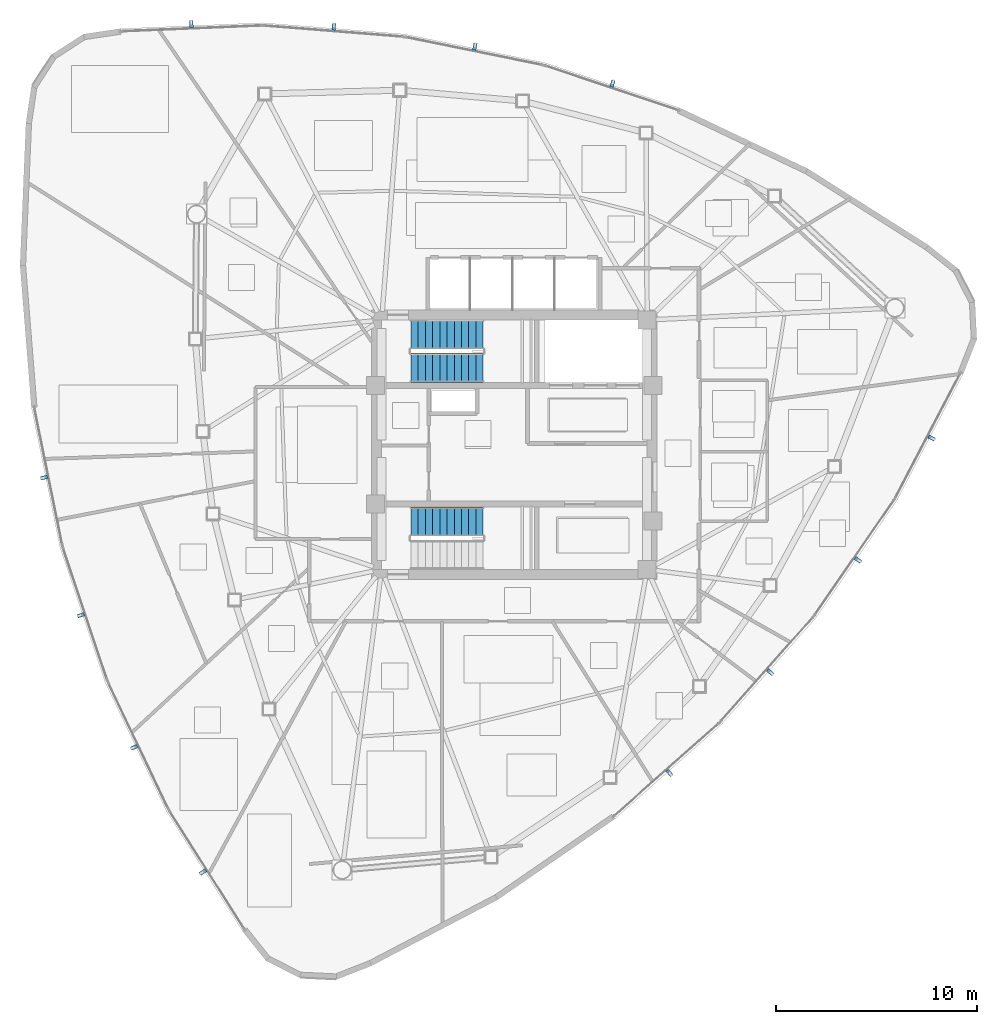
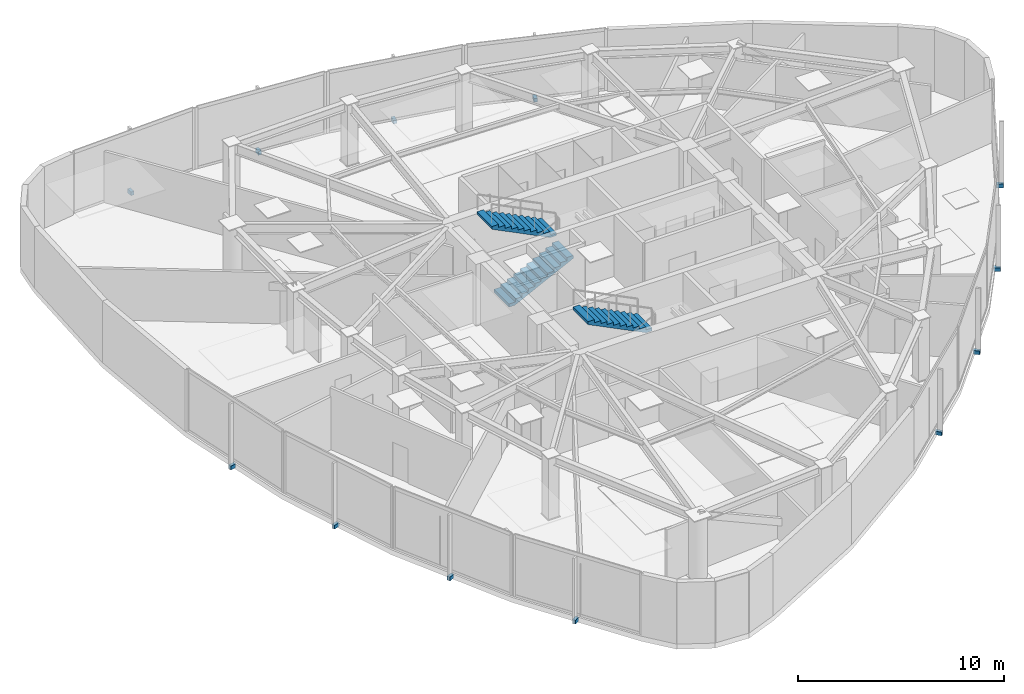
# One storey, part 12 of 15: 12 discrete accessories, 3 stair flights, 2 elements without a shape of their own.
"""IFC4 building model written with IfcOpenShell, lengths in metres."""

from ifc_helpers import new_model, si_unit, direction, frame, origin, origin_2d, place, context, subcontext, project, spatial, polyline, rectangle, outline, extrude, source, transform, mapped, material, type_object, type_shapes, element, aggregate, save


model = new_model("IFC4")

# Units and contexts
model_context = context("Model", 3, precision=1e-05, world=origin(), true_north=direction((0.0, 1.0)))
body_context = subcontext(model_context, "Body", "Model", "MODEL_VIEW")
ifc_project = project(units=[si_unit("LENGTHUNIT", "METRE"), si_unit("AREAUNIT", "SQUARE_METRE"), si_unit("VOLUMEUNIT", "CUBIC_METRE"), si_unit("PLANEANGLEUNIT", "RADIAN"), si_unit("MASSUNIT", "GRAM", prefix="KILO")], contexts=[model_context])

# Site, building, storey
site_placement = place(None, origin())
site = spatial("IfcSite", under=ifc_project, at=site_placement, CompositionType="ELEMENT")
building_placement = place(site_placement, origin())
building = spatial("IfcBuilding", under=site, at=building_placement, Name="Tavelor Broadcast Tower", CompositionType="ELEMENT")
storey_placement = place(building_placement, frame((0.0, 0.0, 230.050048828125)))
storey = spatial("IfcBuildingStorey", under=building, at=storey_placement, Name="L54", CompositionType="ELEMENT", Elevation=230.050048828125)

# Stair, stair flights
ifc_material_1 = material(Name="Concrete C40/50", Category="concrete")
stair_type = type_object("IfcStairType", Name="Reinforced Concrete Protected Dogleg Stair 1450 mm", PredefinedType="HALF_TURN_STAIR", material=ifc_material_1)
stair_1_placement = place(storey_placement, origin())
stair_1 = element("IfcStair", 1, at=stair_1_placement, inside=storey, type_object=stair_type, Name="L54 Protected Core Exit Stair ST1", PredefinedType="HALF_TURN_STAIR")
stair_flight_type = type_object("IfcStairFlightType", Name="Reinforced Concrete Stair Flight 1450 mm", PredefinedType="STRAIGHT", material=ifc_material_1)
stair_flight_1_placement = place(storey_placement, frame((44.85009765625, 48.824951171875, 0.0), z_axis=(0.0, 0.0, 1.0), x_axis=(1.0, 0.0, 0.0)))
stair_flight_1 = element("IfcStairFlight", 2, at=stair_flight_1_placement, type_object=stair_flight_type, Name="ST1 flight 1", NumberOfRisers=11, NumberOfTreads=10, PredefinedType="STRAIGHT", RiserHeight=0.179545455, TreadLength=0.36, context=body_context, shape_type="SweptSolid", body=[
    extrude(outline(polyline([(0.0, 0.0), (0.0, 0.179443359375), (0.360107421875, 0.179443359375), (0.360107421875, 0.359130859375), (0.719970703125, 0.359130859375), (0.719970703125, 0.53857421875), (1.080078125, 0.53857421875), (1.080078125, 0.71826171875), (1.43994140625, 0.71826171875), (1.43994140625, 0.897705078125), (1.800048828125, 0.897705078125), (1.800048828125, 1.077392578125), (2.159912109375, 1.077392578125), (2.159912109375, 1.2568359375), (2.52001953125, 1.2568359375), (2.52001953125, 1.436279296875), (2.8798828125, 1.436279296875), (2.8798828125, 1.615966796875), (3.239990234375, 1.615966796875), (3.239990234375, 1.79541015625), (3.60009765625, 1.79541015625), (3.60009765625, 1.97509765625), (3.60009765625, 1.6279296875), (0.3359375, 0.0), (0.0, 0.0)])), frame((0.0, 0.72509765625, 0.0), z_axis=(0.0, -1.0, 0.0), x_axis=(1.0, 0.0, 0.0)), (0.0, 0.0, 1.0), 1.449951171875),
])
stair_flight_2_placement = place(storey_placement, frame((48.449951171875, 50.47509765625, 1.974853515625), z_axis=(0.0, 0.0, 1.0), x_axis=(-1.0, 0.0, 0.0)))
stair_flight_2 = element("IfcStairFlight", 3, at=stair_flight_2_placement, type_object=stair_flight_type, Name="ST1 flight 2", NumberOfRisers=11, NumberOfTreads=10, PredefinedType="STRAIGHT", RiserHeight=0.179545455, TreadLength=0.36, context=body_context, shape_type="SweptSolid", body=[
    extrude(outline(polyline([(0.0, 0.0), (0.0, 0.179443359375), (0.360107421875, 0.179443359375), (0.360107421875, 0.359130859375), (0.719970703125, 0.359130859375), (0.719970703125, 0.53857421875), (1.080078125, 0.53857421875), (1.080078125, 0.71826171875), (1.43994140625, 0.71826171875), (1.43994140625, 0.897705078125), (1.800048828125, 0.897705078125), (1.800048828125, 1.077392578125), (2.159912109375, 1.077392578125), (2.159912109375, 1.2568359375), (2.52001953125, 1.2568359375), (2.52001953125, 1.436279296875), (2.8798828125, 1.436279296875), (2.8798828125, 1.615966796875), (3.239990234375, 1.615966796875), (3.239990234375, 1.79541015625), (3.60009765625, 1.79541015625), (3.60009765625, 1.97509765625), (3.60009765625, 1.6279296875), (0.3359375, 0.0), (0.0, 0.0)])), frame((0.0, 0.72509765625, 0.0), z_axis=(0.0, -1.0, 0.0), x_axis=(1.0, 0.0, 0.0)), (0.0, 0.0, 1.0), 1.449951171875),
])
aggregate(stair_1, [stair_flight_1, stair_flight_2])

# Stair, stair flight
stair_2_placement = place(storey_placement, origin())
stair_2 = element("IfcStair", 4, at=stair_2_placement, inside=storey, type_object=stair_type, Name="L54 Protected Core Exit Stair ST2", PredefinedType="HALF_TURN_STAIR")
stair_flight_3_placement = place(storey_placement, frame((48.449951171875, 41.175048828125, 1.974853515625), z_axis=(0.0, 0.0, 1.0), x_axis=(-1.0, 0.0, 0.0)))
stair_flight_3 = element("IfcStairFlight", 5, at=stair_flight_3_placement, type_object=stair_flight_type, Name="ST2 flight 2", NumberOfRisers=11, NumberOfTreads=10, PredefinedType="STRAIGHT", RiserHeight=0.179545455, TreadLength=0.36, context=body_context, shape_type="SweptSolid", body=[
    extrude(outline(polyline([(0.0, 0.0), (0.0, 0.179443359375), (0.360107421875, 0.179443359375), (0.360107421875, 0.359130859375), (0.719970703125, 0.359130859375), (0.719970703125, 0.53857421875), (1.080078125, 0.53857421875), (1.080078125, 0.71826171875), (1.43994140625, 0.71826171875), (1.43994140625, 0.897705078125), (1.800048828125, 0.897705078125), (1.800048828125, 1.077392578125), (2.159912109375, 1.077392578125), (2.159912109375, 1.2568359375), (2.52001953125, 1.2568359375), (2.52001953125, 1.436279296875), (2.8798828125, 1.436279296875), (2.8798828125, 1.615966796875), (3.239990234375, 1.615966796875), (3.239990234375, 1.79541015625), (3.60009765625, 1.79541015625), (3.60009765625, 1.97509765625), (3.60009765625, 1.6279296875), (0.3359375, 0.0), (0.0, 0.0)])), frame((0.0, 0.72509765625, 0.0), z_axis=(0.0, -1.0, 0.0), x_axis=(1.0, 0.0, 0.0)), (0.0, 0.0, 1.0), 1.449951171875),
])
aggregate(stair_2, [stair_flight_3])

# Discrete accessories
ifc_material_2 = material(Name="Steel S355", Category="steel")
discrete_accessory_type = type_object("IfcDiscreteAccessoryType", Name="Stainless Baguette Outrigger Support Bracket 260x180", PredefinedType="BRACKET", material=ifc_material_2)
shared_shape = source(origin(), body_context, "Body", "SweptSolid", [
    extrude(rectangle(XDim=0.179931640625, YDim=0.340087890625, at=origin_2d()), origin(), (0.0, 0.0, 1.0), 0.216064453125),
])
type_shapes(discrete_accessory_type, [shared_shape])
for number, where, z_axis, x_axis, name in (
    (6, (26.61669921875, 43.36474609375, -0.25830078125), (0.0, 0.0, 1.0), (0.199709980514, -0.979855052384, 0.0), "L54 Baguette Outrigger Bracket 553"),
    (7, (28.449462890625, 36.5244140625, -0.25830078125), (0.0, 0.0, 1.0), (0.316973609677, -0.948434357648, 0.0), "L54 Baguette Outrigger Bracket 554"),
    (8, (31.0966796875, 29.956298828125, -0.25830078125), (0.0, 0.0, 1.0), (0.429408059837, -0.903110579136, 0.0), "L54 Baguette Outrigger Bracket 555"),
    (9, (34.519287109375, 23.756591796875, -0.25830078125), (0.0, 0.0, 1.0), (0.535532036295, -0.844514912895, 0.0), "L54 Baguette Outrigger Bracket 556"),
    (10, (57.707763671875, 28.684814453125, -0.25830078125), (0.0, 0.0, 1.0), (0.748608671094, 0.663012109666, 0.0), "L54 Baguette Outrigger Bracket 557"),
    (11, (62.71533203125, 33.692138671875, -0.25830078125), (0.0, 0.0, 1.0), (0.663012109666, 0.748608671094, 0.0), "L54 Baguette Outrigger Bracket 558"),
    (12, (67.080078125, 39.268798828125, -0.25830078125), (0.0, 0.0, 1.0), (0.567412674039, 0.823433577977, 0.0), "L54 Baguette Outrigger Bracket 559"),
    (13, (70.73779296875, 45.332763671875, -0.25830078125), (0.0, 0.0, 1.0), (0.463605350294, 0.886041804419, 0.0), "L54 Baguette Outrigger Bracket 560"),
    (14, (54.87548828125, 62.950439453125, -0.25830078125), (0.0, 0.0, 1.0), (-0.948434357648, 0.316973609677, 0.0), "L54 Baguette Outrigger Bracket 561"),
    (15, (48.03515625, 64.783203125, -0.25830078125), (0.0, 0.0, 1.0), (-0.979855052384, 0.199709980514, 0.0), "L54 Baguette Outrigger Bracket 562"),
    (16, (41.023193359375, 65.77490234375, -0.25830078125), (0.0, 0.0, 1.0), (-0.996820733877, 0.079677001159, 0.0), "L54 Baguette Outrigger Bracket 563"),
    (17, (33.94287109375, 65.910888671875, -0.25830078125), (0.0, 0.0, 1.0), (-0.999137386589, -0.041526891525, 0.0), "L54 Baguette Outrigger Bracket 564"),
):
    element("IfcDiscreteAccessory", number, at=place(storey_placement, frame(where, z_axis=z_axis, x_axis=x_axis)), inside=storey, type_object=discrete_accessory_type, Name=name, PredefinedType="BRACKET", context=body_context, shape_type="MappedRepresentation", body=[
        mapped(shared_shape, transform((0.0, 0.0, 0.0), scale=1.0)),
    ])

save(model, "model.ifc")
